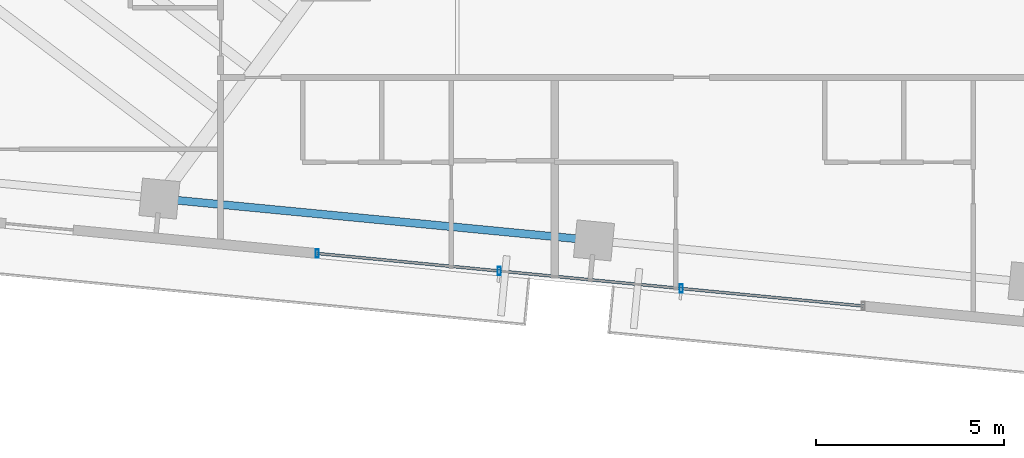
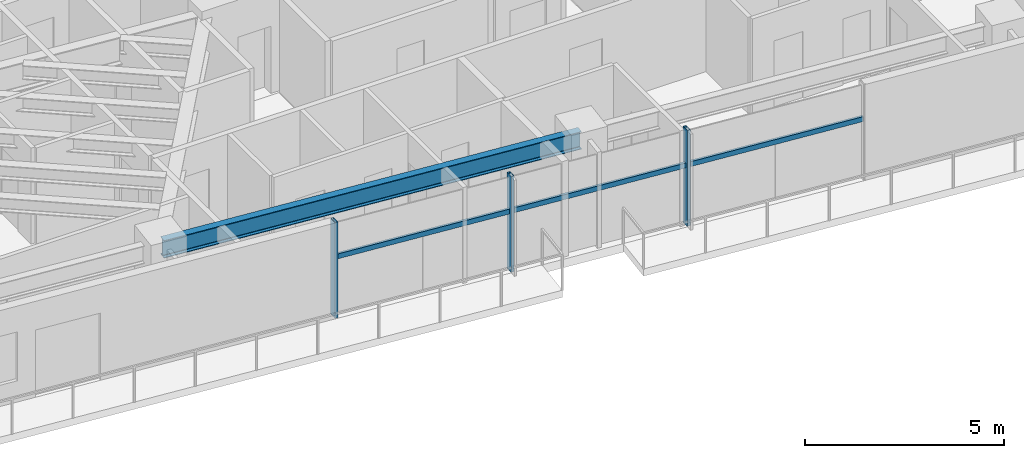
# One storey, part 4 of 20: 6 members, 1 beam, 1 element without a shape of its own.
"""IFC4 building model written with IfcOpenShell, lengths in metres."""

from ifc_helpers import new_model, si_unit, direction, frame, origin, origin_2d, place, context, subcontext, project, spatial, hollow_rectangle, i_section, extrude, source, transform, mapped, material, material_profile, profile_set, type_object, type_shapes, element, aggregate, save


model = new_model("IFC4")

# Units and contexts
model_context = context("Model", 3, precision=1e-05, world=origin(), true_north=direction((0.0, 1.0)))
body_context = subcontext(model_context, "Body", "Model", "MODEL_VIEW")
ifc_project = project(units=[si_unit("LENGTHUNIT", "METRE"), si_unit("AREAUNIT", "SQUARE_METRE"), si_unit("VOLUMEUNIT", "CUBIC_METRE"), si_unit("PLANEANGLEUNIT", "RADIAN"), si_unit("MASSUNIT", "GRAM", prefix="KILO")], contexts=[model_context])

# Site, building, storey
site_placement = place(None, origin())
site = spatial("IfcSite", under=ifc_project, at=site_placement, CompositionType="ELEMENT")
building_placement = place(site_placement, origin())
building = spatial("IfcBuilding", under=site, at=building_placement, Name="Astriad Promenade Condominiums", CompositionType="ELEMENT")
storey_placement = place(building_placement, frame((0.0, 0.0, 127.800048828125)))
storey = spatial("IfcBuildingStorey", under=building, at=storey_placement, Name="L36", CompositionType="ELEMENT", Elevation=127.800048828125)

# Beam
ifc_material_1 = material(Name="Steel ASTM A992 Grade 50", Category="steel")
ifc_material_profile_1 = material_profile(ifc_material_1, i_section(OverallWidth=0.210693359375, OverallDepth=0.53955078125, WebThickness=0.01171875, FlangeThickness=0.018798828125, FilletRadius=0.0166015625, at=origin_2d()), Name="W21X73")
ifc_profile_set_1 = profile_set([ifc_material_profile_1], Name="Steel ASTM A992 Grade 50")
beam_type = type_object("IfcBeamType", Name="STEEL SPANDREL BEAM W21X73", PredefinedType="SPANDREL", material=ifc_profile_set_1)
shared_shape_1 = source(origin(), body_context, "Body", "SweptSolid", [
    extrude(i_section(OverallWidth=0.210693359375, OverallDepth=0.53955078125, WebThickness=0.01171875, FlangeThickness=0.018798828125, FilletRadius=0.0166015625, at=origin_2d()), origin(), (0.0, 0.0, 1.0), 11.52001953125),
])
type_shapes(beam_type, [shared_shape_1])
beam_placement = place(storey_placement, frame((20.467041015625, 9.32763671875, 2.670166015625), z_axis=(0.9953953902, -0.095854145285, 0.0), x_axis=(0.095854145285, 0.9953953902, 0.0)))
element("IfcBeam", 1, at=beam_placement, inside=storey, type_object=beam_type, Name="Perimeter Spandrel Beam SP-S2-L36", PredefinedType="SPANDREL", context=body_context, shape_type="MappedRepresentation", body=[
    mapped(shared_shape_1, transform((0.0, 0.0, 0.0), scale=1.0)),
])

# Curtain wall, members
ifc_material_2 = material(Name="Anodised aluminium Black Dark Glass Unitised", Category="aluminium")
curtain_wall_type = type_object("IfcCurtainWallType", Name="CW-B34-DARK", PredefinedType="USERDEFINED", material=ifc_material_2)
curtain_wall_placement = place(storey_placement, origin())
curtain_wall = element("IfcCurtainWall", 2, at=curtain_wall_placement, inside=storey, type_object=curtain_wall_type, Name="CW-L36-S", ObjectType="UNITISED_CURTAIN_WALL", PredefinedType="USERDEFINED")
ifc_material_3 = material(Name="Anodised aluminium 6063-T6 Black", Category="aluminium")
ifc_material_profile_2 = material_profile(ifc_material_3, hollow_rectangle(XDim=0.0849609375, YDim=0.219970703125, WallThickness=0.0048828125, at=origin_2d()), Name="ALU-MUL-85X220")
ifc_profile_set_2 = profile_set([ifc_material_profile_2], Name="Anodised aluminium 6063-T6 Black")
member_type_1 = type_object("IfcMemberType", Name="MUL-ALU-MUL-85X220", PredefinedType="MULLION", material=ifc_profile_set_2)
shared_shape_2 = source(origin(), body_context, "Body", "SweptSolid", [
    extrude(hollow_rectangle(XDim=0.0849609375, YDim=0.219970703125, WallThickness=0.0048828125, at=origin_2d()), origin(), (0.0, 0.0, 1.0), 2.93994140625),
])
type_shapes(member_type_1, [shared_shape_2])
member_1_placement = place(storey_placement, frame((34.2919921875, 6.941650390625, 0.0), z_axis=(0.0, 0.0, 1.0), x_axis=(1.0, 0.0, 0.0)))
member_1 = element("IfcMember", 3, at=member_1_placement, type_object=member_type_1, Name="CW-L36-S-MUL-01", PredefinedType="MULLION", context=body_context, shape_type="MappedRepresentation", body=[
    mapped(shared_shape_2, transform((0.0, 0.0, 0.0), scale=1.0)),
])
member_2_placement = place(storey_placement, frame((29.454345703125, 7.407470703125, 0.0), z_axis=(0.0, 0.0, 1.0), x_axis=(1.0, 0.0, 0.0)))
member_2 = element("IfcMember", 4, at=member_2_placement, type_object=member_type_1, Name="CW-L36-S-MUL-02", PredefinedType="MULLION", context=body_context, shape_type="MappedRepresentation", body=[
    mapped(shared_shape_2, transform((0.0, 0.0, 0.0), scale=1.0)),
])
member_3_placement = place(storey_placement, frame((24.61669921875, 7.873291015625, 0.0), z_axis=(0.0, 0.0, 1.0), x_axis=(1.0, 0.0, 0.0)))
member_3 = element("IfcMember", 5, at=member_3_placement, type_object=member_type_1, Name="CW-L36-S-MUL-03", PredefinedType="MULLION", context=body_context, shape_type="MappedRepresentation", body=[
    mapped(shared_shape_2, transform((0.0, 0.0, 0.0), scale=1.0)),
])
ifc_material_profile_3 = material_profile(ifc_material_3, hollow_rectangle(XDim=0.074951171875, YDim=0.14990234375, WallThickness=0.004150390625, at=origin_2d()), Name="ALU-TRN-75X150")
ifc_profile_set_3 = profile_set([ifc_material_profile_3], Name="Anodised aluminium 6063-T6 Black")
member_type_2 = type_object("IfcMemberType", Name="TRN-ALU-TRN-75X150", PredefinedType="USERDEFINED", material=ifc_profile_set_3)
shared_shape_3 = source(origin(), body_context, "Body", "SweptSolid", [
    extrude(hollow_rectangle(XDim=0.074951171875, YDim=0.14990234375, WallThickness=0.004150390625, at=origin_2d()), origin(), (0.0, 0.0, 1.0), 4.860107421875),
])
type_shapes(member_type_2, [shared_shape_3])
member_4_placement = place(storey_placement, frame((39.129638671875, 6.475830078125, 1.82275390625), z_axis=(-0.995396042559, 0.095847370639, 0.0), x_axis=(-0.095847370639, -0.995396042559, 0.0)))
member_4 = element("IfcMember", 6, at=member_4_placement, type_object=member_type_2, Name="CW-L36-S-TRN-00-0", ObjectType="TRANSOM", PredefinedType="USERDEFINED", context=body_context, shape_type="MappedRepresentation", body=[
    mapped(shared_shape_3, transform((0.0, 0.0, 0.0), scale=1.0)),
])
member_5_placement = place(storey_placement, frame((34.2919921875, 6.941650390625, 1.82275390625), z_axis=(-0.995396042559, 0.095847370639, 0.0), x_axis=(-0.095847370639, -0.995396042559, 0.0)))
member_5 = element("IfcMember", 7, at=member_5_placement, type_object=member_type_2, Name="CW-L36-S-TRN-01-0", ObjectType="TRANSOM", PredefinedType="USERDEFINED", context=body_context, shape_type="MappedRepresentation", body=[
    mapped(shared_shape_3, transform((0.0, 0.0, 0.0), scale=1.0)),
])
member_6_placement = place(storey_placement, frame((29.454345703125, 7.407470703125, 1.82275390625), z_axis=(-0.995396042559, 0.095847370639, 0.0), x_axis=(-0.095847370639, -0.995396042559, 0.0)))
member_6 = element("IfcMember", 8, at=member_6_placement, type_object=member_type_2, Name="CW-L36-S-TRN-02-0", ObjectType="TRANSOM", PredefinedType="USERDEFINED", context=body_context, shape_type="MappedRepresentation", body=[
    mapped(shared_shape_3, transform((0.0, 0.0, 0.0), scale=1.0)),
])
aggregate(curtain_wall, [member_1, member_2, member_3, member_4, member_5, member_6])

save(model, "model.ifc")
